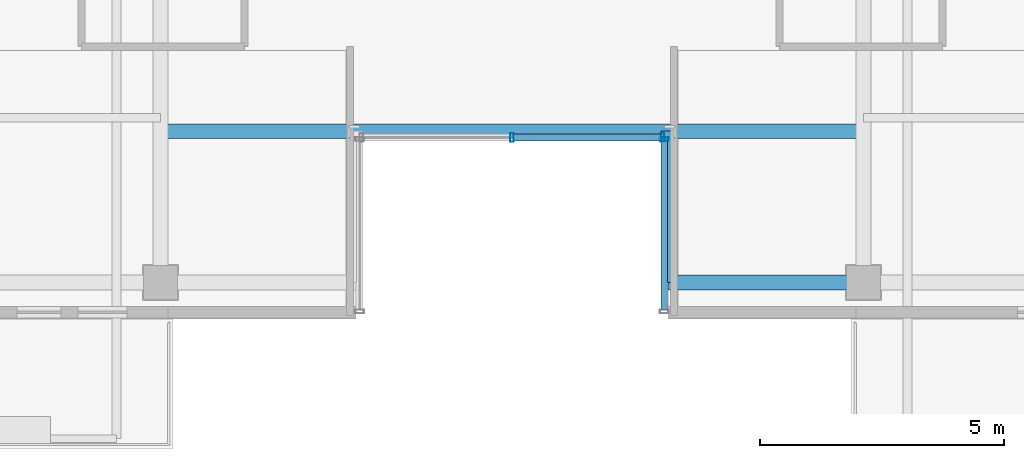
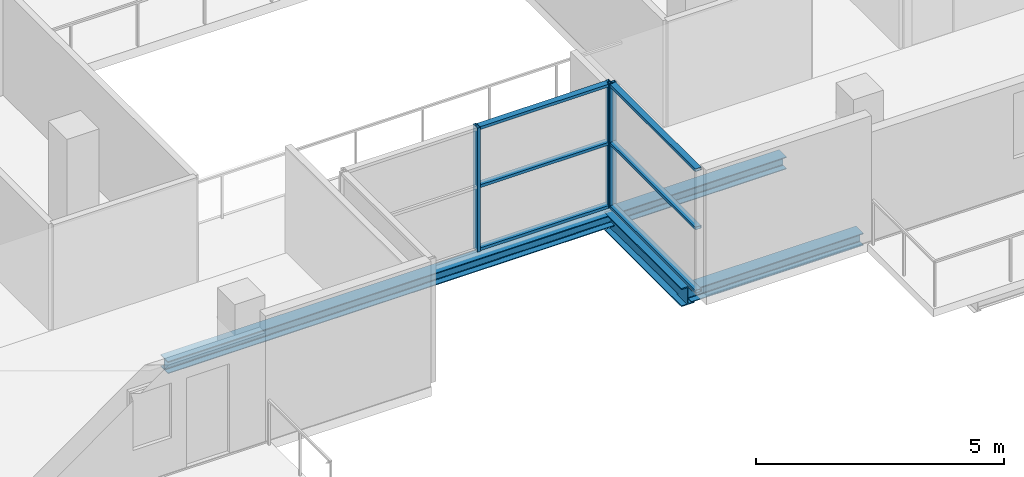
# One storey, part 4 of 24: 9 members, 3 beams, 2 elements without a shape of their own.
"""IFC4 building model written with IfcOpenShell, lengths in metres."""

from ifc_helpers import new_model, si_unit, direction, frame, origin, origin_2d, place, context, subcontext, project, spatial, hollow_rectangle, i_section, extrude, source, transform, mapped, material, layer, layer_set, material_profile, profile_set, type_object, element, aggregate, save


model = new_model("IFC4")

# Units and contexts
model_context = context("Model", 3, precision=1e-05, world=origin(), true_north=direction((0.0, 1.0)))
body_context = subcontext(model_context, "Body", "Model", "MODEL_VIEW")
ifc_project = project(units=[si_unit("LENGTHUNIT", "METRE"), si_unit("AREAUNIT", "SQUARE_METRE"), si_unit("VOLUMEUNIT", "CUBIC_METRE"), si_unit("PLANEANGLEUNIT", "RADIAN"), si_unit("MASSUNIT", "GRAM", prefix="KILO")], contexts=[model_context])

# Site, building, storey
site_placement = place(None, origin())
site = spatial("IfcSite", under=ifc_project, at=site_placement, CompositionType="ELEMENT")
building_placement = place(site_placement, origin())
building = spatial("IfcBuilding", under=site, at=building_placement, Name="Zarnakvel Exchange Tower", CompositionType="ELEMENT")
storey_placement = place(building_placement, frame((0.0, 0.0, 208.89990234375)))
storey = spatial("IfcBuildingStorey", under=building, at=storey_placement, Name="L58", CompositionType="ELEMENT", Elevation=208.89990234375)

# Beams
ifc_material_1 = material(Name="Steel S355", Category="steel")
ifc_material_profile_1 = material_profile(ifc_material_1, i_section(OverallWidth=0.300048828125, OverallDepth=0.449951171875, WebThickness=0.013916015625, FlangeThickness=0.02587890625, FilletRadius=0.027099609375, at=origin_2d()))
ifc_profile_set_1 = profile_set([ifc_material_profile_1], Name="Steel S355")
beam_type_1 = type_object("IfcBeamType", Name="G-07", PredefinedType="BEAM", material=ifc_profile_set_1)
beam_1_placement = place(storey_placement, frame((3.199951171875, -16.35009765625, -0.449951171875), z_axis=(0.0, 1.0, 0.0), x_axis=(-1.0, 0.0, 0.0)))
element("IfcBeam", 1, at=beam_1_placement, inside=storey, type_object=beam_type_1, Name="L58 South Slot East Cheek Beam", PredefinedType="BEAM", context=body_context, shape_type="SweptSolid", body=[
    extrude(i_section(OverallWidth=0.300048828125, OverallDepth=0.449951171875, WebThickness=0.013916015625, FlangeThickness=0.02587890625, FilletRadius=0.027099609375, at=origin_2d()), origin(), (0.0, 0.0, 1.0), 3.10009765625),
])
ifc_material_profile_2 = material_profile(ifc_material_1, i_section(OverallWidth=0.300048828125, OverallDepth=0.300048828125, WebThickness=0.010986328125, FlangeThickness=0.01904296875, FilletRadius=0.027099609375, at=origin_2d()))
ifc_profile_set_2 = profile_set([ifc_material_profile_2], Name="Steel S355")
beam_type_2 = type_object("IfcBeamType", Name="SP-03", PredefinedType="SPANDREL", material=ifc_profile_set_2)
beam_2_placement = place(storey_placement, frame((3.199951171875, -16.35009765625, -0.375), z_axis=(1.0, 0.0, 0.0), x_axis=(0.0, 1.0, 0.0)))
element("IfcBeam", 2, at=beam_2_placement, inside=storey, type_object=beam_type_2, Name="L58 South Slot East Jamb Spandrel", PredefinedType="SPANDREL", context=body_context, shape_type="SweptSolid", body=[
    extrude(i_section(OverallWidth=0.300048828125, OverallDepth=0.300048828125, WebThickness=0.010986328125, FlangeThickness=0.01904296875, FilletRadius=0.027099609375, at=origin_2d()), origin(), (0.0, 0.0, 1.0), 4.0),
])
beam_3_placement = place(storey_placement, frame((-7.199951171875, -13.25, -0.375), z_axis=(1.0, 0.0, 0.0), x_axis=(0.0, 1.0, 0.0)))
element("IfcBeam", 3, at=beam_3_placement, inside=storey, type_object=beam_type_2, Name="L58 South Slot Head Trimmer Girder", PredefinedType="SPANDREL", context=body_context, shape_type="SweptSolid", body=[
    extrude(i_section(OverallWidth=0.300048828125, OverallDepth=0.300048828125, WebThickness=0.010986328125, FlangeThickness=0.01904296875, FilletRadius=0.027099609375, at=origin_2d()), origin(), (0.0, 0.0, 1.0), 14.39990234375),
])

# Curtain wall, members
ifc_material_2 = material(Name="Architectural Bronze Anodised Aluminium", Category="aluminium")
ifc_layer = layer(ifc_material_2, 0.179931640625)
ifc_layer_set = layer_set([ifc_layer], Name="Architectural Bronze Anodised Aluminium")
curtain_wall_type = type_object("IfcCurtainWallType", Name="CW-05", PredefinedType="NOTDEFINED", material=ifc_layer_set)
curtain_wall_1_placement = place(storey_placement, origin())
curtain_wall_1 = element("IfcCurtainWall", 4, at=curtain_wall_1_placement, inside=storey, type_object=curtain_wall_type, Name="L58 Curtain Wall CW-L58-SLB (CW-05)", PredefinedType="NOTDEFINED")
ifc_material_profile_3 = material_profile(ifc_material_2, hollow_rectangle(XDim=0.179931640625, YDim=0.070068359375, WallThickness=0.00390625, at=origin_2d()))
ifc_profile_set_3 = profile_set([ifc_material_profile_3], Name="Architectural Bronze Anodised Aluminium")
member_type_1 = type_object("IfcMemberType", Name="CWM-05", PredefinedType="MULLION", material=ifc_profile_set_3)
shared_shape_1 = source(origin(), body_context, "Body", "SweptSolid", [
    extrude(hollow_rectangle(XDim=0.179931640625, YDim=0.070068359375, WallThickness=0.00390625, at=origin_2d()), origin(), (0.0, 0.0, 1.0), 3.05517578125),
])
member_1_placement = place(storey_placement, frame((0.0, -13.3798828125, 0.0), z_axis=(0.0, 0.0, 1.0), x_axis=(0.0, 1.0, 0.0)))
member_1 = element("IfcMember", 5, at=member_1_placement, type_object=member_type_1, Name="CW-05 mullion 2", PredefinedType="MULLION", context=body_context, shape_type="MappedRepresentation", body=[
    mapped(shared_shape_1, transform((0.0, 0.0, 0.0), x_axis=(1.0, 0.0, 0.0), y_axis=(0.0, 1.0, 0.0), z_axis=(0.0, 0.0, 1.0), scale=1.0)),
])
member_2_placement = place(storey_placement, frame((3.0849609375, -13.3798828125, 0.0), z_axis=(0.0, 0.0, 1.0), x_axis=(0.0, 1.0, 0.0)))
member_2 = element("IfcMember", 6, at=member_2_placement, type_object=member_type_1, Name="CW-05 mullion 3", PredefinedType="MULLION", context=body_context, shape_type="MappedRepresentation", body=[
    mapped(shared_shape_1, transform((0.0, 0.0, 0.0), x_axis=(1.0, 0.0, 0.0), y_axis=(0.0, 1.0, 0.0), z_axis=(0.0, 0.0, 1.0), scale=1.0)),
])

curtain_wall_2_placement = place(storey_placement, origin())
curtain_wall_2 = element("IfcCurtainWall", 7, at=curtain_wall_2_placement, inside=storey, type_object=curtain_wall_type, Name="L58 Curtain Wall CW-L58-SLE (CW-05)", PredefinedType="NOTDEFINED")
member_3_placement = place(storey_placement, frame((3.1201171875, -13.4150390625, 0.0), z_axis=(0.0, 0.0, 1.0), x_axis=(1.0, 0.0, 0.0)))
member_3 = element("IfcMember", 8, at=member_3_placement, type_object=member_type_1, Name="CW-05 mullion 1", PredefinedType="MULLION", context=body_context, shape_type="MappedRepresentation", body=[
    mapped(shared_shape_1, transform((0.0, 0.0, 0.0), x_axis=(1.0, 0.0, 0.0), y_axis=(0.0, 1.0, 0.0), z_axis=(0.0, 0.0, 1.0), scale=1.0)),
])
ifc_material_profile_4 = material_profile(ifc_material_2, hollow_rectangle(XDim=0.139892578125, YDim=0.070068359375, WallThickness=0.00390625, at=origin_2d()))
ifc_profile_set_4 = profile_set([ifc_material_profile_4], Name="Architectural Bronze Anodised Aluminium")
member_type_2 = type_object("IfcMemberType", Name="CWT-05", PredefinedType="USERDEFINED", material=ifc_profile_set_4)
shared_shape_2 = source(origin(), body_context, "Body", "SweptSolid", [
    extrude(hollow_rectangle(XDim=0.139892578125, YDim=0.070068359375, WallThickness=0.00390625, at=origin_2d()), origin(), (0.0, 0.0, 1.0), 3.4599609375),
])
member_4_placement = place(storey_placement, frame((3.1201171875, -13.449951171875, 0.03515625), z_axis=(0.0, -1.0, 0.0), x_axis=(1.0, 0.0, 0.0)))
member_4 = element("IfcMember", 9, at=member_4_placement, type_object=member_type_2, Name="CW-05 transom 1.1", ObjectType="TRANSOM", PredefinedType="USERDEFINED", context=body_context, shape_type="MappedRepresentation", body=[
    mapped(shared_shape_2, transform((0.0, 0.0, 0.0), x_axis=(1.0, 0.0, 0.0), y_axis=(0.0, 1.0, 0.0), z_axis=(0.0, 0.0, 1.0), scale=1.0)),
])
member_5_placement = place(storey_placement, frame((3.1201171875, -13.449951171875, 1.588623046875), z_axis=(0.0, -1.0, 0.0), x_axis=(1.0, 0.0, 0.0)))
member_5 = element("IfcMember", 10, at=member_5_placement, type_object=member_type_2, Name="CW-05 transom 1.2", ObjectType="TRANSOM", PredefinedType="USERDEFINED", context=body_context, shape_type="MappedRepresentation", body=[
    mapped(shared_shape_2, transform((0.0, 0.0, 0.0), x_axis=(1.0, 0.0, 0.0), y_axis=(0.0, 1.0, 0.0), z_axis=(0.0, 0.0, 1.0), scale=1.0)),
])
member_6_placement = place(storey_placement, frame((3.1201171875, -13.449951171875, 3.02001953125), z_axis=(0.0, -1.0, 0.0), x_axis=(1.0, 0.0, 0.0)))
member_6 = element("IfcMember", 11, at=member_6_placement, type_object=member_type_2, Name="CW-05 transom 1.3", ObjectType="TRANSOM", PredefinedType="USERDEFINED", context=body_context, shape_type="MappedRepresentation", body=[
    mapped(shared_shape_2, transform((0.0, 0.0, 0.0), x_axis=(1.0, 0.0, 0.0), y_axis=(0.0, 1.0, 0.0), z_axis=(0.0, 0.0, 1.0), scale=1.0)),
])
aggregate(curtain_wall_2, [member_3, member_4, member_5, member_6])

# Member
shared_shape_3 = source(origin(), body_context, "Body", "SweptSolid", [
    extrude(hollow_rectangle(XDim=0.139892578125, YDim=0.070068359375, WallThickness=0.00390625, at=origin_2d()), origin(), (0.0, 0.0, 1.0), 3.01513671875),
])
member_7_placement = place(storey_placement, frame((0.034912109375, -13.3798828125, 0.03515625), z_axis=(1.0, 0.0, 0.0), x_axis=(0.0, 1.0, 0.0)))
member_7 = element("IfcMember", 12, at=member_7_placement, type_object=member_type_2, Name="CW-05 transom 2.1", ObjectType="TRANSOM", PredefinedType="USERDEFINED", context=body_context, shape_type="MappedRepresentation", body=[
    mapped(shared_shape_3, transform((0.0, 0.0, 0.0), x_axis=(1.0, 0.0, 0.0), y_axis=(0.0, 1.0, 0.0), z_axis=(0.0, 0.0, 1.0), scale=1.0)),
])

member_8_placement = place(storey_placement, frame((0.034912109375, -13.3798828125, 1.588623046875), z_axis=(1.0, 0.0, 0.0), x_axis=(0.0, 1.0, 0.0)))
member_8 = element("IfcMember", 13, at=member_8_placement, type_object=member_type_2, Name="CW-05 transom 2.2", ObjectType="TRANSOM", PredefinedType="USERDEFINED", context=body_context, shape_type="MappedRepresentation", body=[
    mapped(shared_shape_3, transform((0.0, 0.0, 0.0), x_axis=(1.0, 0.0, 0.0), y_axis=(0.0, 1.0, 0.0), z_axis=(0.0, 0.0, 1.0), scale=1.0)),
])

member_9_placement = place(storey_placement, frame((0.034912109375, -13.3798828125, 3.02001953125), z_axis=(1.0, 0.0, 0.0), x_axis=(0.0, 1.0, 0.0)))
member_9 = element("IfcMember", 14, at=member_9_placement, type_object=member_type_2, Name="CW-05 transom 2.3", ObjectType="TRANSOM", PredefinedType="USERDEFINED", context=body_context, shape_type="MappedRepresentation", body=[
    mapped(shared_shape_3, transform((0.0, 0.0, 0.0), x_axis=(1.0, 0.0, 0.0), y_axis=(0.0, 1.0, 0.0), z_axis=(0.0, 0.0, 1.0), scale=1.0)),
])

aggregate(curtain_wall_1, [member_1, member_2, member_7, member_8, member_9])

save(model, "model.ifc")
